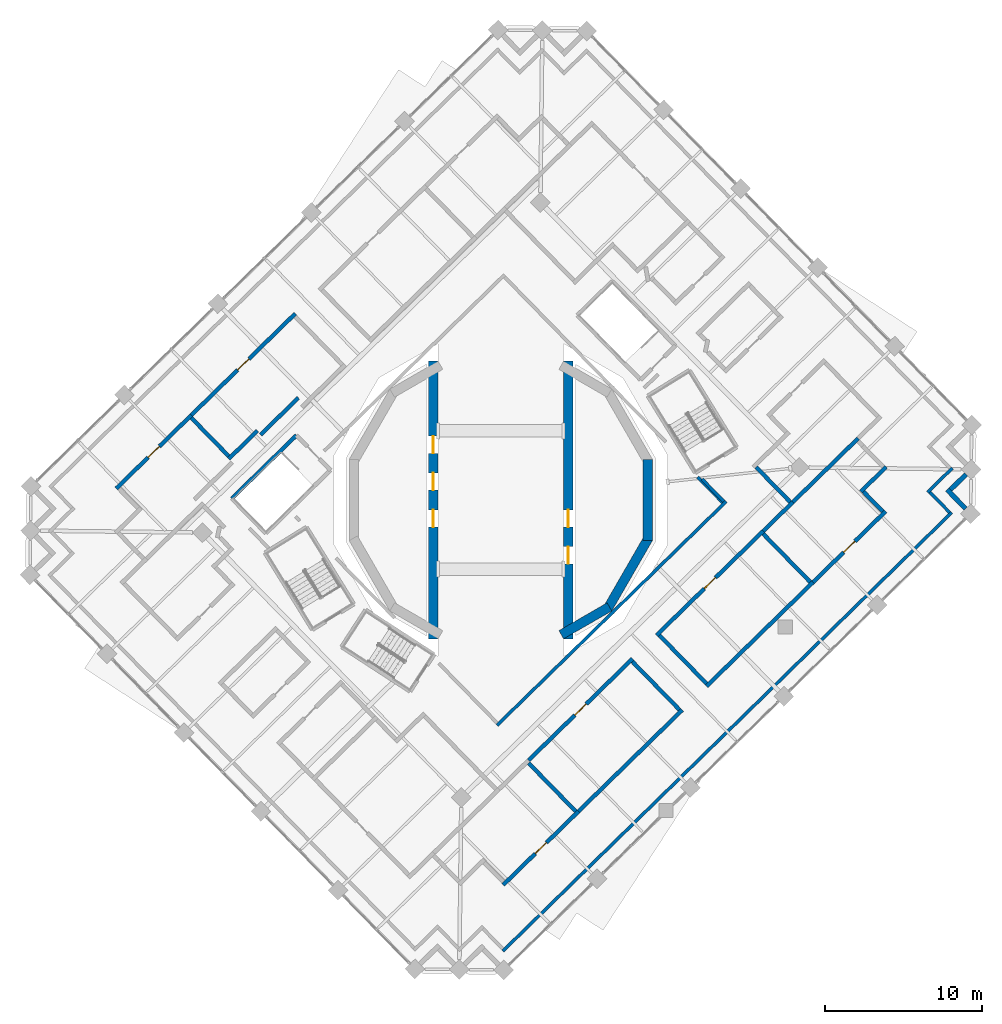
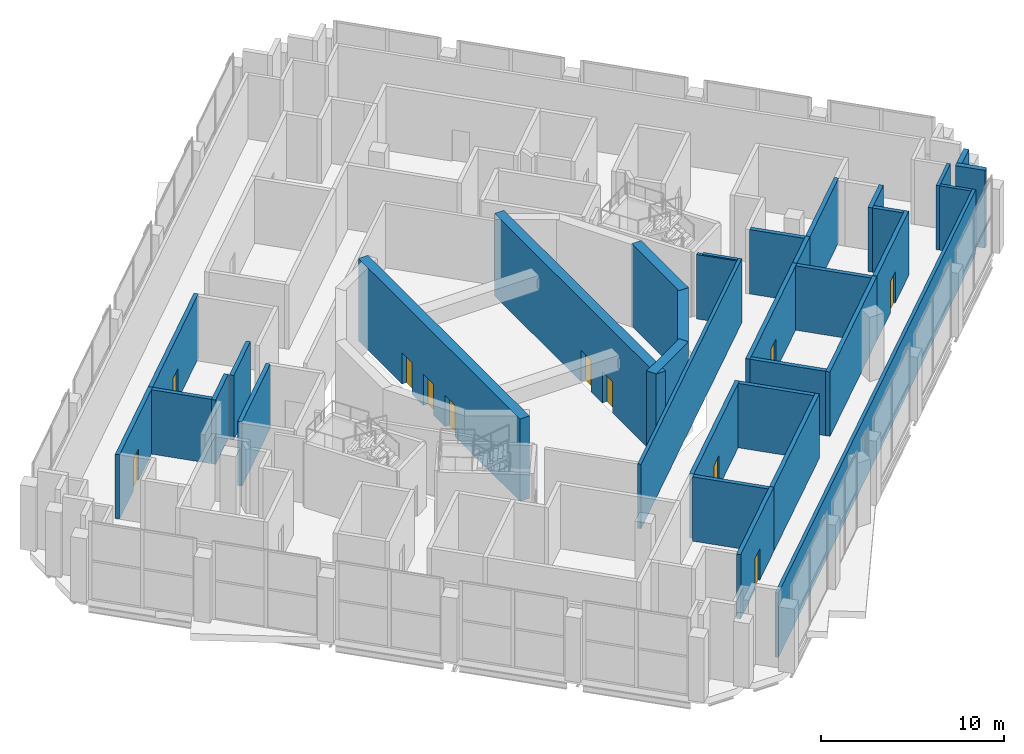
# One storey, part 14 of 20: 34 walls, 11 doors, 11 openings.
"""IFC4 building model written with IfcOpenShell, lengths in metres."""

import ifcopenshell
import ifcopenshell.guid

model = None  # the IFC model being written
_history = None  # IfcOwnerHistory: only IFC2X3 demands one
_inside = {}  # id of a spatial element -> (the spatial element, [elements in it])
_under = {}  # id of a project, library or spatial element -> (it, [spatial elements below it])
_declared = {}  # id of a project -> (the project, [libraries it declares])
_typed = {}  # id of a type object -> (the type object, [elements of that type])
_made_of = {}  # id of a material, layer set ... -> (it, [elements and type objects made of it])


def new_model(schema):
    """Start an empty IFC model of exactly this schema.

    Asked for "IFC4X3", IfcOpenShell would pick the latest addendum, in which some entities
    have other attributes; the version numbers below select the first issue.
    IFC2X3 requires an IfcOwnerHistory on every rooted entity: one is made here for all.
    """
    global model, _history
    if schema == "IFC4X3":
        model = ifcopenshell.file(schema_version=(4, 3, 0, 0))
    else:
        model = ifcopenshell.file(schema=schema)
    _inside.clear()
    _under.clear()
    _declared.clear()
    _typed.clear()
    _made_of.clear()
    _history = None
    if model.schema == "IFC2X3":
        org = make("IfcOrganization", Name="unknown")
        user = make(
            "IfcPersonAndOrganization",
            ThePerson=make("IfcPerson", FamilyName="unknown"),
            TheOrganization=org,
        )
        app = make(
            "IfcApplication",
            ApplicationDeveloper=org,
            Version="unknown",
            ApplicationFullName="unknown",
            ApplicationIdentifier="unknown",
        )
        _history = make(
            "IfcOwnerHistory",
            OwningUser=user,
            OwningApplication=app,
            ChangeAction="ADDED",
            CreationDate=0,
        )
    return model


def make(cls, **values):
    """One entity of the class cls with the attributes given. An attribute that is None is left unset."""
    return model.create_entity(
        cls, **{name: value for name, value in values.items() if value is not None}
    )


def rooted(cls, **values):
    """An entity with a GlobalId (a new one), such as an element, a storey or a relation."""
    return make(cls, GlobalId=ifcopenshell.guid.new(), OwnerHistory=_history, **values)


def si_unit(unit_type, name, prefix=None):
    """IfcSIUnit, for example si_unit("LENGTHUNIT", "METRE", prefix="MILLI")."""
    return make("IfcSIUnit", UnitType=unit_type, Prefix=prefix, Name=name)


def assignment(units):
    """IfcUnitAssignment: the units of a project."""
    return None if units is None else make("IfcUnitAssignment", Units=units)


def point(xyz):
    """IfcCartesianPoint."""
    return None if xyz is None else make("IfcCartesianPoint", Coordinates=xyz)


def direction(xyz):
    """IfcDirection."""
    return None if xyz is None else make("IfcDirection", DirectionRatios=xyz)


def frame(location, z_axis=None, x_axis=None):
    """IfcAxis2Placement3D, a coordinate frame: its origin and axes. An axis left out is left unset."""
    return make(
        "IfcAxis2Placement3D",
        Location=point(location),
        Axis=direction(z_axis),
        RefDirection=direction(x_axis),
    )


def frame_2d(location, x_axis=None):
    """IfcAxis2Placement2D, a coordinate frame in the plane: its origin and x axis."""
    return make(
        "IfcAxis2Placement2D", Location=point(location), RefDirection=direction(x_axis)
    )


def origin():
    """The frame at (0, 0, 0) with its axes left unset."""
    return frame((0.0, 0.0, 0.0))


def place(relative_to, where):
    """IfcLocalPlacement: puts the frame where relative to a parent placement (None: the world)."""
    return make(
        "IfcLocalPlacement", PlacementRelTo=relative_to, RelativePlacement=where
    )


def context(
    kind, dimensions, precision=None, world=None, true_north=None, identifier=None
):
    """IfcGeometricRepresentationContext, for example the 3D "Model" context."""
    return make(
        "IfcGeometricRepresentationContext",
        ContextIdentifier=identifier,
        ContextType=kind,
        CoordinateSpaceDimension=dimensions,
        Precision=precision,
        WorldCoordinateSystem=world,
        TrueNorth=true_north,
    )


def subcontext(parent, identifier, kind, view, scale=None):
    """IfcGeometricRepresentationSubContext, for example "Body" below "Model"."""
    return make(
        "IfcGeometricRepresentationSubContext",
        ContextIdentifier=identifier,
        ContextType=kind,
        ParentContext=parent,
        TargetScale=scale,
        TargetView=view,
    )


def project(units=None, contexts=None):
    """IfcProject with its units and contexts."""
    return rooted(
        "IfcProject",
        Name="project",
        RepresentationContexts=contexts,
        UnitsInContext=assignment(units),
    )


def spatial(cls, under=None, at=None, **own):
    """A site, building, storey or space (cls), placed at a placement, below another one or the project."""
    s = rooted(cls, ObjectPlacement=at, **own)
    if under is not None:
        _under.setdefault(under.id(), (under, []))[1].append(s)
    return s


def profile(cls, at=None, kind="AREA", **sizes):
    """A parametric profile (cls). Its sizes go by their IFC names, for example OverallWidth=200.0."""
    return make(cls, ProfileType=kind, Position=at, **sizes)


def rectangle(**sizes):
    """IfcRectangleProfileDef."""
    return profile("IfcRectangleProfileDef", **sizes)


def extrude(swept, where, along, depth):
    """IfcExtrudedAreaSolid: the profile swept, set in the frame where, extruded along a direction by depth."""
    return make(
        "IfcExtrudedAreaSolid",
        SweptArea=swept,
        Position=where,
        ExtrudedDirection=direction(along),
        Depth=depth,
    )


def shape(context_of_items, identifier, shape_type, items):
    """IfcShapeRepresentation: the items that make up one representation, for example the "Body"."""
    return make(
        "IfcShapeRepresentation",
        ContextOfItems=context_of_items,
        RepresentationIdentifier=identifier,
        RepresentationType=shape_type,
        Items=items,
    )


def material(Name=None, Category=None):
    """IfcMaterial."""
    return make("IfcMaterial", Name=Name, Category=Category)


def layer(
    of_material, thickness, ventilated=None, Name=None, Category=None, Priority=None
):
    """IfcMaterialLayer: one layer of a wall or slab, of a material (None: an air gap)."""
    return make(
        "IfcMaterialLayer",
        Material=of_material,
        LayerThickness=thickness,
        IsVentilated=ventilated,
        Name=Name,
        Category=Category,
        Priority=Priority,
    )


def layer_set(layers, Name=None):
    """IfcMaterialLayerSet."""
    return make("IfcMaterialLayerSet", MaterialLayers=layers, LayerSetName=Name)


def made_of(thing, what):
    """Note that an element or type object is made of a material, layer set ...; save() writes the relation."""
    if what is not None:
        _made_of.setdefault(what.id(), (what, []))[1].append(thing)
    return thing


def type_object(cls, material=None, **own):
    """A type object (cls), such as IfcWallType, which elements share."""
    return made_of(rooted(cls, **own), material)


def element(
    cls,
    number,
    at=None,
    inside=None,
    cuts=None,
    type_object=None,
    material=None,
    context=None,
    identifier="Body",
    shape_type=None,
    held_by="IfcProductDefinitionShape",
    body=None,
    shapes=None,
    **own,
):
    """One element of the class cls, such as IfcWall. Its Tag is "e" and its number.

    at: its placement. inside: the storey or other place that contains it. cuts: it is an
    opening in that element (IfcRelVoidsElement). A single representation is given by context,
    identifier, shape_type and body (its items); several are given by shapes. held_by: the class
    of the entity that holds the representations. save() writes the other relations.
    """
    e = rooted(cls, Tag="e%d" % number, ObjectPlacement=at, **own)
    if body is not None:
        shapes = [shape(context, identifier, shape_type, body)]
    if shapes is not None:
        e.Representation = make(held_by, Representations=shapes)
    if inside is not None:
        _inside.setdefault(inside.id(), (inside, []))[1].append(e)
    if cuts is not None:
        rooted(
            "IfcRelVoidsElement", RelatingBuildingElement=cuts, RelatedOpeningElement=e
        )
    if type_object is not None:
        _typed.setdefault(type_object.id(), (type_object, []))[1].append(e)
    return made_of(e, material)


def fill(opening, filler):
    """IfcRelFillsElement: the door or window that sits in an opening."""
    return rooted(
        "IfcRelFillsElement",
        RelatingOpeningElement=opening,
        RelatedBuildingElement=filler,
    )


def aggregate(whole, parts):
    """IfcRelAggregates: a whole, such as a stair, and the parts it consists of."""
    return rooted("IfcRelAggregates", RelatingObject=whole, RelatedObjects=parts)


def save(model, path):
    """Write the relations noted so far, then the file.

    IfcRelAggregates (storeys below a building ...), IfcRelContainedInSpatialStructure (elements
    in a storey), IfcRelDefinesByType, IfcRelAssociatesMaterial and IfcRelDeclares: one each for
    every whole, place, type object, material and project.
    """
    for whole, parts in _under.values():
        aggregate(whole, parts)
    for where, things in _inside.values():
        rooted(
            "IfcRelContainedInSpatialStructure",
            RelatedElements=things,
            RelatingStructure=where,
        )
    for kind, things in _typed.values():
        rooted("IfcRelDefinesByType", RelatedObjects=things, RelatingType=kind)
    for what, things in _made_of.values():
        rooted("IfcRelAssociatesMaterial", RelatedObjects=things, RelatingMaterial=what)
    for by, libraries in _declared.values():
        rooted("IfcRelDeclares", RelatingContext=by, RelatedDefinitions=libraries)
    model.write(path)


model = new_model("IFC4")

# Units and contexts
model_context = context("Model", 3, precision=1e-05, world=origin(), true_north=direction((0.0, 1.0)))
body_context = subcontext(model_context, "Body", "Model", "MODEL_VIEW")
ifc_project = project(units=[si_unit("LENGTHUNIT", "METRE"), si_unit("AREAUNIT", "SQUARE_METRE"), si_unit("VOLUMEUNIT", "CUBIC_METRE"), si_unit("PLANEANGLEUNIT", "RADIAN"), si_unit("MASSUNIT", "GRAM", prefix="KILO")], contexts=[model_context])

# Site, building, storey
site_placement = place(None, origin())
site = spatial("IfcSite", under=ifc_project, at=site_placement, CompositionType="ELEMENT")
building_placement = place(site_placement, origin())
building = spatial("IfcBuilding", under=site, at=building_placement, Name="Cantera Rosa Tower", CompositionType="ELEMENT")
storey_placement = place(building_placement, frame((0.0, 0.0, 245.0)))
storey = spatial("IfcBuildingStorey", under=building, at=storey_placement, Name="L54", CompositionType="ELEMENT", Elevation=245.0)

# Walls
ifc_material_1 = material(Name="Masonry blockwork", Category="masonry")
ifc_layer_1 = layer(ifc_material_1, 0.199951171875)
ifc_layer_set_1 = layer_set([ifc_layer_1], Name="Blockwork partition 200")
wall_type_1 = type_object("IfcWallType", Name="Blockwork partition 200", PredefinedType="PARTITIONING", material=ifc_layer_set_1)
wall_1_placement = place(storey_placement, frame((14.212646484375, -0.0947265625, 0.0), z_axis=(0.0, 0.0, 1.0), x_axis=(-0.698781842242, 0.715334842541, 0.0)))
element("IfcWall", 1, at=wall_1_placement, inside=storey, type_object=wall_type_1, Name="Partition L54-1", PredefinedType="PARTITIONING", context=body_context, shape_type="SweptSolid", body=[
    extrude(rectangle(XDim=1.9912109375, YDim=0.199951171875, at=frame_2d((0.99560546875, 0.0))), origin(), (0.0, 0.0, 1.0), 4.300048828125),
])
wall_2_placement = place(storey_placement, frame((-0.23779296875, -14.3525390625, 0.0), z_axis=(0.0, 0.0, 1.0), x_axis=(0.715280736308, 0.698837225873, 0.0)))
element("IfcWall", 2, at=wall_2_placement, inside=storey, type_object=wall_type_1, Name="Partition L54-10", PredefinedType="PARTITIONING", context=body_context, shape_type="SweptSolid", body=[
    extrude(rectangle(XDim=20.400146484375, YDim=0.199951171875, at=frame_2d((10.2001953125, 0.0))), origin(), (0.0, 0.0, 1.0), 4.300048828125),
])
wall_3_placement = place(storey_placement, frame((0.125, -28.747314453125, 0.0), z_axis=(0.0, 0.0, 1.0), x_axis=(0.715286420058, 0.698831408338, 0.0)))
element("IfcWall", 3, at=wall_3_placement, inside=storey, type_object=wall_type_1, Name="Partition L54-100", PredefinedType="PARTITIONING", context=body_context, shape_type="SweptSolid", body=[
    extrude(rectangle(XDim=40.000244140625, YDim=0.199951171875, at=frame_2d((20.0, 0.0))), origin(), (0.0, 0.0, 1.0), 4.300048828125),
])
wall_4_placement = place(storey_placement, frame((27.19580078125, 0.496826171875, 0.0), z_axis=(0.0, 0.0, 1.0), x_axis=(0.715325866743, 0.698791030543, 0.0)))
element("IfcWall", 4, at=wall_4_placement, inside=storey, type_object=wall_type_1, Name="Partition L54-104", PredefinedType="PARTITIONING", context=body_context, shape_type="SweptSolid", body=[
    extrude(rectangle(XDim=2.199951171875, YDim=0.199951171875, at=frame_2d((1.10009765625, 0.0))), origin(), (0.0, 0.0, 1.0), 4.300048828125),
])
wall_5_placement = place(storey_placement, frame((28.59521484375, -0.79248046875, 0.0), z_axis=(0.0, 0.0, 1.0), x_axis=(-0.698784721194, 0.715332030197, 0.0)))
element("IfcWall", 5, at=wall_5_placement, inside=storey, type_object=wall_type_1, Name="Partition L54-115", PredefinedType="PARTITIONING", context=body_context, shape_type="SweptSolid", body=[
    extrude(rectangle(XDim=1.800048828125, YDim=0.199951171875, at=frame_2d((0.89990234375, 0.0))), origin(), (0.0, 0.0, 1.0), 4.300048828125),
])
wall_6_placement = place(storey_placement, frame((14.13916015625, -0.16650390625, 0.0), z_axis=(0.0, 0.0, 1.0), x_axis=(-0.698783996079, 0.715332738538, 0.0)))
element("IfcWall", 6, at=wall_6_placement, inside=storey, type_object=wall_type_1, Name="Partition L54-121", PredefinedType="PARTITIONING", context=body_context, shape_type="SweptSolid", body=[
    extrude(rectangle(XDim=2.28662109375, YDim=0.199951171875, at=frame_2d((1.143310546875, 0.0))), origin(), (0.0, 0.0, 1.0), 4.300048828125),
])
ifc_material_2 = material(Name="Hollow clay masonry with cantera stone cladding", Category="masonry")
ifc_layer_2 = layer(ifc_material_2, 0.300048828125)
ifc_layer_set_2 = layer_set([ifc_layer_2], Name="EW-LOGGIA 300")
wall_type_2 = type_object("IfcWallType", Name="EW-LOGGIA 300", PredefinedType="SOLIDWALL", material=ifc_layer_set_2)
wall_7_placement = place(storey_placement, frame((29.623291015625, -0.556884765625, 0.0), z_axis=(0.0, 0.0, 1.0), x_axis=(-0.69880105094, 0.715316077832, 0.0)))
element("IfcWall", 7, at=wall_7_placement, inside=storey, type_object=wall_type_2, Name="EN-L54-W26a", PredefinedType="SOLIDWALL", context=body_context, shape_type="SweptSolid", body=[
    extrude(rectangle(XDim=1.699951171875, YDim=0.300048828125, at=frame_2d((0.85009765625, 0.0))), origin(), (0.0, 0.0, 1.0), 5.199951171875),
])
wall_8_placement = place(storey_placement, frame((28.6474609375, 0.65673828125, 0.0), z_axis=(0.0, 0.0, 1.0), x_axis=(0.715341715727, 0.698774806172, 0.0)))
element("IfcWall", 8, at=wall_8_placement, inside=storey, type_object=wall_type_2, Name="EN-L54-W26b", PredefinedType="SOLIDWALL", context=body_context, shape_type="SweptSolid", body=[
    extrude(rectangle(XDim=1.39990234375, YDim=0.300048828125, at=frame_2d((0.699951171875, 0.0))), origin(), (0.0, 0.0, 1.0), 5.199951171875),
])

# Wall, opening, door
ifc_material_3 = material(Name="Masonry blockwork", Category="masonry")
ifc_layer_3 = layer(ifc_material_3, 0.25)
ifc_layer_set_3 = layer_set([ifc_layer_3], Name="Fire-rated wall 250")
wall_type_3 = type_object("IfcWallType", Name="Fire-rated wall 250", PredefinedType="PARTITIONING", material=ifc_layer_set_3)
wall_9_placement = place(storey_placement, frame((-24.51220703125, 0.727294921875, 0.0), z_axis=(0.0, 0.0, 1.0), x_axis=(0.715293997815, 0.698823652068, 0.0)))
wall_9 = element("IfcWall", 9, at=wall_9_placement, inside=storey, type_object=wall_type_3, Name="Fire wall L54-19", PredefinedType="PARTITIONING", context=body_context, shape_type="SweptSolid", body=[
    extrude(rectangle(XDim=6.699951171875, YDim=0.25, at=frame_2d((3.35009765625, 0.0))), origin(), (0.0, 0.0, 1.0), 4.300048828125),
])
opening_1_placement = place(wall_9_placement, frame((2.85009765625, 0.0, 0.0)))
opening_1 = element("IfcOpeningElement", 10, at=opening_1_placement, cuts=wall_9, Name="Opening L54-001", PredefinedType="OPENING", context=body_context, shape_type="SweptSolid", body=[
    extrude(rectangle(XDim=1.0, YDim=2.10009765625, at=frame_2d((0.5, 1.050048828125))), frame((0.0, 0.135009765625, 0.0), z_axis=(0.0, -1.0, 0.0), x_axis=(1.0, 0.0, 0.0)), (0.0, 0.0, 1.0), 0.27001953125),
])
ifc_material_4 = material(Name="Steel S355J2 (EN 10025-2)", Category="steel")
door_type_1 = type_object("IfcDoorType", Name="Fire door 1000x2100", OperationType="NOTDEFINED", PredefinedType="DOOR", material=ifc_material_4)
door_1_placement = place(opening_1_placement, origin())
door_1 = element("IfcDoor", 11, at=door_1_placement, inside=storey, type_object=door_type_1, Name="Door L54-001", OverallHeight=2.10009765625, OverallWidth=1.0, PredefinedType="DOOR", context=body_context, shape_type="SweptSolid", body=[
    extrude(rectangle(XDim=1.0, YDim=2.10009765625, at=frame_2d((0.5, 1.050048828125))), frame((0.0, 0.02490234375, 0.0), z_axis=(0.0, -1.0, 0.0), x_axis=(1.0, 0.0, 0.0)), (0.0, 0.0, 1.0), 0.050048828125),
])
fill(opening_1, door_1)

wall_10_placement = place(storey_placement, frame((-19.7197265625, 5.409423828125, 0.0), z_axis=(0.0, 0.0, 1.0), x_axis=(0.71529364026, 0.69882401805, 0.0)))
wall_10 = element("IfcWall", 12, at=wall_10_placement, inside=storey, type_object=wall_type_3, Name="Fire wall L54-20", PredefinedType="PARTITIONING", context=body_context, shape_type="SweptSolid", body=[
    extrude(rectangle(XDim=9.25, YDim=0.25, at=frame_2d((4.625, 0.0))), origin(), (0.0, 0.0, 1.0), 4.300048828125),
])
opening_2_placement = place(wall_10_placement, frame((4.125, 0.0, 0.0)))
opening_2 = element("IfcOpeningElement", 13, at=opening_2_placement, cuts=wall_10, Name="Opening L54-002", PredefinedType="OPENING", context=body_context, shape_type="SweptSolid", body=[
    extrude(rectangle(XDim=1.0, YDim=2.10009765625, at=frame_2d((0.5, 1.050048828125))), frame((0.0, 0.135009765625, 0.0), z_axis=(0.0, -1.0, 0.0), x_axis=(1.0, 0.0, 0.0)), (0.0, 0.0, 1.0), 0.27001953125),
])
door_2_placement = place(opening_2_placement, origin())
door_2 = element("IfcDoor", 14, at=door_2_placement, inside=storey, type_object=door_type_1, Name="Door L54-002", OverallHeight=2.10009765625, OverallWidth=1.0, PredefinedType="DOOR", context=body_context, shape_type="SweptSolid", body=[
    extrude(rectangle(XDim=1.0, YDim=2.10009765625, at=frame_2d((0.5, 1.050048828125))), frame((0.0, 0.02490234375, 0.0), z_axis=(0.0, -1.0, 0.0), x_axis=(1.0, 0.0, 0.0)), (0.0, 0.0, 1.0), 0.050048828125),
])
fill(opening_2, door_2)

# Walls
wall_11_placement = place(storey_placement, frame((4.772216796875, -19.838134765625, 0.0), z_axis=(0.0, 0.0, 1.0), x_axis=(-0.698826013974, 0.715291690287, 0.0)))
element("IfcWall", 15, at=wall_11_placement, inside=storey, type_object=wall_type_3, Name="Fire wall L54-23", PredefinedType="PARTITIONING", context=body_context, shape_type="SweptSolid", body=[
    extrude(rectangle(XDim=4.2998046875, YDim=0.25, at=frame_2d((2.14990234375, 0.0))), origin(), (0.0, 0.0, 1.0), 4.300048828125),
])
wall_12_placement = place(storey_placement, frame((-17.323974609375, 2.7783203125, 0.0), z_axis=(0.0, 0.0, 1.0), x_axis=(-0.69880472754, 0.715312486098, 0.0)))
element("IfcWall", 16, at=wall_12_placement, inside=storey, type_object=wall_type_3, Name="Fire wall L54-24", PredefinedType="PARTITIONING", context=body_context, shape_type="SweptSolid", body=[
    extrude(rectangle(XDim=3.43115234375, YDim=0.25, at=frame_2d((1.715576171875, 0.0))), origin(), (0.0, 0.0, 1.0), 4.300048828125),
])
wall_13_placement = place(storey_placement, frame((-15.314208984375, 4.15478515625, 0.0), z_axis=(0.0, 0.0, 1.0), x_axis=(0.715316390415, 0.69880073097, 0.0)))
element("IfcWall", 17, at=wall_13_placement, inside=storey, type_object=wall_type_3, Name="Fire wall L54-26", PredefinedType="PARTITIONING", context=body_context, shape_type="SweptSolid", body=[
    extrude(rectangle(XDim=3.370361328125, YDim=0.25, at=frame_2d((1.68505859375, 0.0))), origin(), (0.0, 0.0, 1.0), 4.300048828125),
])
wall_14_placement = place(storey_placement, frame((-17.343505859375, 2.619384765625, 0.0), z_axis=(0.0, 0.0, 1.0), x_axis=(0.715260872502, 0.698857556493, 0.0)))
element("IfcWall", 18, at=wall_14_placement, inside=storey, type_object=wall_type_3, Name="Fire wall L54-35", PredefinedType="PARTITIONING", context=body_context, shape_type="SweptSolid", body=[
    extrude(rectangle(XDim=2.56005859375, YDim=0.25, at=frame_2d((1.280029296875, 0.0))), origin(), (0.0, 0.0, 1.0), 4.300048828125),
])
for number, where, z_axis, x_axis, name in (
    (19, (11.388671875, -13.3740234375, 0.0), (0.0, 0.0, 1.0), (-0.698826013974, 0.715291690287, 0.0), "Fire wall L54-36"),
    (20, (19.7216796875, -5.232666015625, 0.0), (0.0, 0.0, 1.0), (-0.698826013974, 0.715291690287, 0.0), "Fire wall L54-38"),
):
    element("IfcWall", number, at=place(storey_placement, frame(where, z_axis=z_axis, x_axis=x_axis)), inside=storey, type_object=wall_type_3, Name=name, PredefinedType="PARTITIONING", context=body_context, shape_type="SweptSolid", body=[
        extrude(rectangle(XDim=4.2998046875, YDim=0.25, at=frame_2d((2.14990234375, 0.0))), origin(), (0.0, 0.0, 1.0), 4.300048828125),
    ])
wall_15_placement = place(storey_placement, frame((13.10546875, -11.69677734375, 0.0), z_axis=(0.0, 0.0, 1.0), x_axis=(-0.698855062366, 0.715263309422, 0.0)))
element("IfcWall", 21, at=wall_15_placement, inside=storey, type_object=wall_type_3, Name="Fire wall L54-40", PredefinedType="PARTITIONING", context=body_context, shape_type="SweptSolid", body=[
    extrude(rectangle(XDim=4.300048828125, YDim=0.25, at=frame_2d((2.14990234375, 0.0))), origin(), (0.0, 0.0, 1.0), 4.300048828125),
])
wall_16_placement = place(storey_placement, frame((24.33544921875, -0.72509765625, 0.0), z_axis=(0.0, 0.0, 1.0), x_axis=(-0.698898891865, 0.715220482753, 0.0)))
element("IfcWall", 22, at=wall_16_placement, inside=storey, type_object=wall_type_3, Name="Fire wall L54-42", PredefinedType="PARTITIONING", context=body_context, shape_type="SweptSolid", body=[
    extrude(rectangle(XDim=1.75, YDim=0.25, at=frame_2d((0.875, 0.0))), origin(), (0.0, 0.0, 1.0), 4.300048828125),
])

# Wall, opening, door
wall_17_placement = place(storey_placement, frame((1.769287109375, -16.585693359375, 0.0), z_axis=(0.0, 0.0, 1.0), x_axis=(0.71529364026, 0.69882401805, 0.0)))
wall_17 = element("IfcWall", 23, at=wall_17_placement, inside=storey, type_object=wall_type_3, Name="Fire wall L54-59", PredefinedType="PARTITIONING", context=body_context, shape_type="SweptSolid", body=[
    extrude(rectangle(XDim=9.25, YDim=0.25, at=frame_2d((4.625, 0.0))), origin(), (0.0, 0.0, 1.0), 4.300048828125),
])
opening_3_placement = place(wall_17_placement, frame((4.125, 0.0, 0.0)))
opening_3 = element("IfcOpeningElement", 24, at=opening_3_placement, cuts=wall_17, Name="Opening L54-010", PredefinedType="OPENING", context=body_context, shape_type="SweptSolid", body=[
    extrude(rectangle(XDim=1.0, YDim=2.10009765625, at=frame_2d((0.5, 1.050048828125))), frame((0.0, 0.135009765625, 0.0), z_axis=(0.0, -1.0, 0.0), x_axis=(1.0, 0.0, 0.0)), (0.0, 0.0, 1.0), 0.27001953125),
])
door_3_placement = place(opening_3_placement, origin())
door_3 = element("IfcDoor", 25, at=door_3_placement, inside=storey, type_object=door_type_1, Name="Door L54-010", OverallHeight=2.10009765625, OverallWidth=1.0, PredefinedType="DOOR", context=body_context, shape_type="SweptSolid", body=[
    extrude(rectangle(XDim=1.0, YDim=2.10009765625, at=frame_2d((0.5, 1.050048828125))), frame((0.0, 0.02490234375, 0.0), z_axis=(0.0, -1.0, 0.0), x_axis=(1.0, 0.0, 0.0)), (0.0, 0.0, 1.0), 0.050048828125),
])
fill(opening_3, door_3)

wall_18_placement = place(storey_placement, frame((9.923583984375, -8.618896484375, 0.0), z_axis=(0.0, 0.0, 1.0), x_axis=(0.715282665967, 0.698835250805, 0.0)))
wall_18 = element("IfcWall", 26, at=wall_18_placement, inside=storey, type_object=wall_type_3, Name="Fire wall L54-60", PredefinedType="PARTITIONING", context=body_context, shape_type="SweptSolid", body=[
    extrude(rectangle(XDim=9.5, YDim=0.25, at=frame_2d((4.75, 0.0))), origin(), (0.0, 0.0, 1.0), 4.300048828125),
])
opening_4_placement = place(wall_18_placement, frame((4.25, 0.0, 0.0)))
opening_4 = element("IfcOpeningElement", 27, at=opening_4_placement, cuts=wall_18, Name="Opening L54-011", PredefinedType="OPENING", context=body_context, shape_type="SweptSolid", body=[
    extrude(rectangle(XDim=1.0, YDim=2.10009765625, at=frame_2d((0.5, 1.050048828125))), frame((0.0, 0.135009765625, 0.0), z_axis=(0.0, -1.0, 0.0), x_axis=(1.0, 0.0, 0.0)), (0.0, 0.0, 1.0), 0.27001953125),
])
door_4_placement = place(opening_4_placement, origin())
door_4 = element("IfcDoor", 28, at=door_4_placement, inside=storey, type_object=door_type_1, Name="Door L54-011", OverallHeight=2.10009765625, OverallWidth=1.0, PredefinedType="DOOR", context=body_context, shape_type="SweptSolid", body=[
    extrude(rectangle(XDim=1.0, YDim=2.10009765625, at=frame_2d((0.5, 1.050048828125))), frame((0.0, 0.02490234375, 0.0), z_axis=(0.0, -1.0, 0.0), x_axis=(1.0, 0.0, 0.0)), (0.0, 0.0, 1.0), 0.050048828125),
])
fill(opening_4, door_4)

# Walls
wall_19_placement = place(storey_placement, frame((16.71875, -1.97998046875, 0.0), z_axis=(0.0, 0.0, 1.0), x_axis=(0.715349405615, 0.698766933882, 0.0)))
element("IfcWall", 29, at=wall_19_placement, inside=storey, type_object=wall_type_3, Name="Fire wall L54-61", PredefinedType="PARTITIONING", context=body_context, shape_type="SweptSolid", body=[
    extrude(rectangle(XDim=2.650146484375, YDim=0.25, at=frame_2d((1.3251953125, 0.0))), origin(), (0.0, 0.0, 1.0), 4.300048828125),
])
wall_20_placement = place(storey_placement, frame((18.614501953125, -0.128173828125, 0.0), z_axis=(0.0, 0.0, 1.0), x_axis=(0.715266089848, 0.698852216648, 0.0)))
element("IfcWall", 30, at=wall_20_placement, inside=storey, type_object=wall_type_3, Name="Fire wall L54-62", PredefinedType="PARTITIONING", context=body_context, shape_type="SweptSolid", body=[
    extrude(rectangle(XDim=5.80078125, YDim=0.25, at=frame_2d((2.900390625, 0.0))), origin(), (0.0, 0.0, 1.0), 4.300048828125),
])
wall_21_placement = place(storey_placement, frame((18.4375, -0.126220703125, 0.0), z_axis=(0.0, 0.0, 1.0), x_axis=(-0.698846148091, 0.715272019093, 0.0)))
element("IfcWall", 31, at=wall_21_placement, inside=storey, type_object=wall_type_3, Name="Fire wall L54-64", PredefinedType="PARTITIONING", context=body_context, shape_type="SweptSolid", body=[
    extrude(rectangle(XDim=3.1064453125, YDim=0.25, at=frame_2d((1.55322265625, 0.0))), origin(), (0.0, 0.0, 1.0), 4.300048828125),
])

# Wall, opening, door
wall_22_placement = place(storey_placement, frame((0.156494140625, -24.5224609375, 0.0), z_axis=(0.0, 0.0, 1.0), x_axis=(0.715275783569, 0.698842295113, 0.0)))
wall_22 = element("IfcWall", 32, at=wall_22_placement, inside=storey, type_object=wall_type_3, Name="Fire wall L54-78", PredefinedType="PARTITIONING", context=body_context, shape_type="SweptSolid", body=[
    extrude(rectangle(XDim=6.7001953125, YDim=0.25, at=frame_2d((3.35009765625, 0.0))), origin(), (0.0, 0.0, 1.0), 4.300048828125),
])
opening_5_placement = place(wall_22_placement, frame((2.85009765625, 0.0, 0.0)))
opening_5 = element("IfcOpeningElement", 33, at=opening_5_placement, cuts=wall_22, Name="Opening L54-009", PredefinedType="OPENING", context=body_context, shape_type="SweptSolid", body=[
    extrude(rectangle(XDim=1.0, YDim=2.10009765625, at=frame_2d((0.5, 1.050048828125))), frame((0.0, 0.135009765625, 0.0), z_axis=(0.0, -1.0, 0.0), x_axis=(1.0, 0.0, 0.0)), (0.0, 0.0, 1.0), 0.27001953125),
])
door_5_placement = place(opening_5_placement, origin())
door_5 = element("IfcDoor", 34, at=door_5_placement, inside=storey, type_object=door_type_1, Name="Door L54-009", OverallHeight=2.10009765625, OverallWidth=1.0, PredefinedType="DOOR", context=body_context, shape_type="SweptSolid", body=[
    extrude(rectangle(XDim=1.0, YDim=2.10009765625, at=frame_2d((0.5, 1.050048828125))), frame((0.0, 0.02490234375, 0.0), z_axis=(0.0, -1.0, 0.0), x_axis=(1.0, 0.0, 0.0)), (0.0, 0.0, 1.0), 0.050048828125),
])
fill(opening_5, door_5)

# Walls
wall_23_placement = place(storey_placement, frame((4.948974609375, -19.840087890625, 0.0), z_axis=(0.0, 0.0, 1.0), x_axis=(0.71529364026, 0.69882401805, 0.0)))
element("IfcWall", 35, at=wall_23_placement, inside=storey, type_object=wall_type_3, Name="Fire wall L54-79", PredefinedType="PARTITIONING", context=body_context, shape_type="SweptSolid", body=[
    extrude(rectangle(XDim=9.25, YDim=0.25, at=frame_2d((4.625, 0.0))), origin(), (0.0, 0.0, 1.0), 4.300048828125),
])
wall_24_placement = place(storey_placement, frame((13.103271484375, -11.87353515625, 0.0), z_axis=(0.0, 0.0, 1.0), x_axis=(0.715282665967, 0.698835250805, 0.0)))
element("IfcWall", 36, at=wall_24_placement, inside=storey, type_object=wall_type_3, Name="Fire wall L54-80", PredefinedType="PARTITIONING", context=body_context, shape_type="SweptSolid", body=[
    extrude(rectangle(XDim=9.5, YDim=0.25, at=frame_2d((4.75, 0.0))), origin(), (0.0, 0.0, 1.0), 4.300048828125),
])

# Wall, opening, door
wall_25_placement = place(storey_placement, frame((19.8984375, -5.234619140625, 0.0), z_axis=(0.0, 0.0, 1.0), x_axis=(0.715310174918, 0.698807093308, 0.0)))
wall_25 = element("IfcWall", 37, at=wall_25_placement, inside=storey, type_object=wall_type_3, Name="Fire wall L54-81", PredefinedType="PARTITIONING", context=body_context, shape_type="SweptSolid", body=[
    extrude(rectangle(XDim=6.449951171875, YDim=0.25, at=frame_2d((3.22509765625, 0.0))), origin(), (0.0, 0.0, 1.0), 4.300048828125),
])
opening_6_placement = place(wall_25_placement, frame((2.72509765625, 0.0, 0.0)))
opening_6 = element("IfcOpeningElement", 38, at=opening_6_placement, cuts=wall_25, Name="Opening L54-012", PredefinedType="OPENING", context=body_context, shape_type="SweptSolid", body=[
    extrude(rectangle(XDim=1.0, YDim=2.10009765625, at=frame_2d((0.5, 1.050048828125))), frame((0.0, 0.135009765625, 0.0), z_axis=(0.0, -1.0, 0.0), x_axis=(1.0, 0.0, 0.0)), (0.0, 0.0, 1.0), 0.27001953125),
])
door_6_placement = place(opening_6_placement, origin())
door_6 = element("IfcDoor", 39, at=door_6_placement, inside=storey, type_object=door_type_1, Name="Door L54-012", OverallHeight=2.10009765625, OverallWidth=1.0, PredefinedType="DOOR", context=body_context, shape_type="SweptSolid", body=[
    extrude(rectangle(XDim=1.0, YDim=2.10009765625, at=frame_2d((0.5, 1.050048828125))), frame((0.0, 0.02490234375, 0.0), z_axis=(0.0, -1.0, 0.0), x_axis=(1.0, 0.0, 0.0)), (0.0, 0.0, 1.0), 0.050048828125),
])
fill(opening_6, door_6)

# Wall
wall_26_placement = place(storey_placement, frame((22.935546875, 0.52880859375, 0.0), z_axis=(0.0, 0.0, 1.0), x_axis=(0.715354746456, 0.698761466255, 0.0)))
element("IfcWall", 40, at=wall_26_placement, inside=storey, type_object=wall_type_3, Name="Fire wall L54-83", PredefinedType="PARTITIONING", context=body_context, shape_type="SweptSolid", body=[
    extrude(rectangle(XDim=2.251220703125, YDim=0.25, at=frame_2d((1.12548828125, 0.0))), origin(), (0.0, 0.0, 1.0), 4.300048828125),
])

# Wall, openings, doors
ifc_material_5 = material(Name="Concrete C50/60", Category="concrete")
ifc_layer_4 = layer(ifc_material_5, 0.60009765625)
ifc_layer_set_4 = layer_set([ifc_layer_4], Name="RC CORE WALL 600 C50/60")
wall_type_4 = type_object("IfcWallType", Name="RC CORE WALL 600 C50/60", PredefinedType="SHEAR", material=ifc_layer_set_4)
wall_27_placement = place(storey_placement, frame((-4.300048828125, 8.84423828125, 0.0), z_axis=(0.0, 0.0, 1.0), x_axis=(0.0, -1.0, 0.0)))
wall_27 = element("IfcWall", 41, at=wall_27_placement, inside=storey, type_object=wall_type_4, Name="CW-W6 L54", PredefinedType="SHEAR", context=body_context, shape_type="SweptSolid", body=[
    extrude(rectangle(XDim=17.6884765625, YDim=0.60009765625, at=frame_2d((8.84423828125, 0.0))), origin(), (0.0, 0.0, 1.0), 5.5),
])
opening_7_placement = place(wall_27_placement, frame((9.468994140625, 0.0, 0.0)))
opening_7 = element("IfcOpeningElement", 42, at=opening_7_placement, cuts=wall_27, Name="Opening LD-H1-L54", PredefinedType="OPENING", context=body_context, shape_type="SweptSolid", body=[
    extrude(rectangle(XDim=1.10009765625, YDim=2.10009765625, at=frame_2d((0.550048828125, 1.050048828125))), frame((0.0, 0.31005859375, 0.0), z_axis=(0.0, -1.0, 0.0), x_axis=(1.0, 0.0, 0.0)), (0.0, 0.0, 1.0), 0.6201171875),
])
opening_8_placement = place(wall_27_placement, frame((7.119140625, 0.0, 0.0)))
opening_8 = element("IfcOpeningElement", 43, at=opening_8_placement, cuts=wall_27, Name="Opening LD-H2-L54", PredefinedType="OPENING", context=body_context, shape_type="SweptSolid", body=[
    extrude(rectangle(XDim=1.10009765625, YDim=2.10009765625, at=frame_2d((0.550048828125, 1.050048828125))), frame((0.0, 0.31005859375, 0.0), z_axis=(0.0, -1.0, 0.0), x_axis=(1.0, 0.0, 0.0)), (0.0, 0.0, 1.0), 0.6201171875),
])
opening_9_placement = place(wall_27_placement, frame((4.76904296875, 0.0, 0.0)))
opening_9 = element("IfcOpeningElement", 44, at=opening_9_placement, cuts=wall_27, Name="Opening LD-H3-L54", PredefinedType="OPENING", context=body_context, shape_type="SweptSolid", body=[
    extrude(rectangle(XDim=1.10009765625, YDim=2.10009765625, at=frame_2d((0.550048828125, 1.050048828125))), frame((0.0, 0.31005859375, 0.0), z_axis=(0.0, -1.0, 0.0), x_axis=(1.0, 0.0, 0.0)), (0.0, 0.0, 1.0), 0.6201171875),
])
ifc_material_6 = material(Name="Steel S355J2 (EN 10025-2)", Category="steel")
door_type_2 = type_object("IfcDoorType", Name="LANDING DOOR 1100x2100", OperationType="NOTDEFINED", PredefinedType="DOOR", material=ifc_material_6)
door_7_placement = place(opening_7_placement, origin())
door_7 = element("IfcDoor", 45, at=door_7_placement, inside=storey, type_object=door_type_2, Name="LANDING DOOR H1 L54", OperationType="SLIDING_TO_LEFT", OverallHeight=2.10009765625, OverallWidth=1.10009765625, PredefinedType="DOOR", context=body_context, shape_type="SweptSolid", body=[
    extrude(rectangle(XDim=1.10009765625, YDim=2.10009765625, at=frame_2d((0.550048828125, 1.050048828125))), frame((0.0, 0.02490234375, 0.0), z_axis=(0.0, -1.0, 0.0), x_axis=(1.0, 0.0, 0.0)), (0.0, 0.0, 1.0), 0.050048828125),
])
fill(opening_7, door_7)
door_8_placement = place(opening_8_placement, origin())
door_8 = element("IfcDoor", 46, at=door_8_placement, inside=storey, type_object=door_type_2, Name="LANDING DOOR H2 L54", OperationType="SLIDING_TO_LEFT", OverallHeight=2.10009765625, OverallWidth=1.10009765625, PredefinedType="DOOR", context=body_context, shape_type="SweptSolid", body=[
    extrude(rectangle(XDim=1.10009765625, YDim=2.10009765625, at=frame_2d((0.550048828125, 1.050048828125))), frame((0.0, 0.02490234375, 0.0), z_axis=(0.0, -1.0, 0.0), x_axis=(1.0, 0.0, 0.0)), (0.0, 0.0, 1.0), 0.050048828125),
])
fill(opening_8, door_8)
door_9_placement = place(opening_9_placement, origin())
door_9 = element("IfcDoor", 47, at=door_9_placement, inside=storey, type_object=door_type_2, Name="LANDING DOOR H3 L54", OperationType="SLIDING_TO_LEFT", OverallHeight=2.10009765625, OverallWidth=1.10009765625, PredefinedType="DOOR", context=body_context, shape_type="SweptSolid", body=[
    extrude(rectangle(XDim=1.10009765625, YDim=2.10009765625, at=frame_2d((0.550048828125, 1.050048828125))), frame((0.0, 0.02490234375, 0.0), z_axis=(0.0, -1.0, 0.0), x_axis=(1.0, 0.0, 0.0)), (0.0, 0.0, 1.0), 0.050048828125),
])
fill(opening_9, door_9)

# Walls
for number, where, z_axis, x_axis, name in (
    (48, (9.359375, 2.588134765625, 0.0), (0.0, 0.0, 1.0), (0.0, -1.0, 0.0), "CW-E3 L54"),
    (49, (9.3994140625, -2.438232421875, 0.0), (0.0, 0.0, 1.0), (-0.499989188378, -0.866031645787, 0.0), "CW-E4 L54"),
):
    element("IfcWall", number, at=place(storey_placement, frame(where, z_axis=z_axis, x_axis=x_axis)), inside=storey, type_object=wall_type_4, Name=name, PredefinedType="SHEAR", context=body_context, shape_type="SweptSolid", body=[
        extrude(rectangle(XDim=5.17626953125, YDim=0.60009765625, at=frame_2d((2.588134765625, 0.0))), origin(), (0.0, 0.0, 1.0), 5.5),
    ])
wall_28_placement = place(storey_placement, frame((6.921142578125, -6.811279296875, 0.0), z_axis=(0.0, 0.0, 1.0), x_axis=(-0.866039982607, -0.499974747889, 0.0)))
element("IfcWall", 50, at=wall_28_placement, inside=storey, type_object=wall_type_4, Name="CW-E5 L54", PredefinedType="SHEAR", context=body_context, shape_type="SweptSolid", body=[
    extrude(rectangle(XDim=3.546142578125, YDim=0.60009765625, at=frame_2d((1.77294921875, 0.0))), origin(), (0.0, 0.0, 1.0), 5.5),
])

# Wall, openings, doors
wall_29_placement = place(storey_placement, frame((4.300048828125, -8.84423828125, 0.0), z_axis=(0.0, 0.0, 1.0), x_axis=(0.0, 1.0, 0.0)))
wall_29 = element("IfcWall", 51, at=wall_29_placement, inside=storey, type_object=wall_type_4, Name="CW-E6 L54", PredefinedType="SHEAR", context=body_context, shape_type="SweptSolid", body=[
    extrude(rectangle(XDim=17.6884765625, YDim=0.60009765625, at=frame_2d((8.84423828125, 0.0))), origin(), (0.0, 0.0, 1.0), 5.5),
])
opening_10_placement = place(wall_29_placement, frame((4.76904296875, 0.0, 0.0)))
opening_10 = element("IfcOpeningElement", 52, at=opening_10_placement, cuts=wall_29, Name="Opening LD-FF1-L54", PredefinedType="OPENING", context=body_context, shape_type="SweptSolid", body=[
    extrude(rectangle(XDim=1.10009765625, YDim=2.10009765625, at=frame_2d((0.550048828125, 1.050048828125))), frame((0.0, 0.31005859375, 0.0), z_axis=(0.0, -1.0, 0.0), x_axis=(1.0, 0.0, 0.0)), (0.0, 0.0, 1.0), 0.6201171875),
])
opening_11_placement = place(wall_29_placement, frame((7.119140625, 0.0, 0.0)))
opening_11 = element("IfcOpeningElement", 53, at=opening_11_placement, cuts=wall_29, Name="Opening LD-FF2-L54", PredefinedType="OPENING", context=body_context, shape_type="SweptSolid", body=[
    extrude(rectangle(XDim=1.10009765625, YDim=2.10009765625, at=frame_2d((0.550048828125, 1.050048828125))), frame((0.0, 0.31005859375, 0.0), z_axis=(0.0, -1.0, 0.0), x_axis=(1.0, 0.0, 0.0)), (0.0, 0.0, 1.0), 0.6201171875),
])
door_10_placement = place(opening_10_placement, origin())
door_10 = element("IfcDoor", 54, at=door_10_placement, inside=storey, type_object=door_type_2, Name="LANDING DOOR FF1 L54", OperationType="SLIDING_TO_LEFT", OverallHeight=2.10009765625, OverallWidth=1.10009765625, PredefinedType="DOOR", context=body_context, shape_type="SweptSolid", body=[
    extrude(rectangle(XDim=1.10009765625, YDim=2.10009765625, at=frame_2d((0.550048828125, 1.050048828125))), frame((0.0, 0.02490234375, 0.0), z_axis=(0.0, -1.0, 0.0), x_axis=(1.0, 0.0, 0.0)), (0.0, 0.0, 1.0), 0.050048828125),
])
fill(opening_10, door_10)
door_11_placement = place(opening_11_placement, origin())
door_11 = element("IfcDoor", 55, at=door_11_placement, inside=storey, type_object=door_type_2, Name="LANDING DOOR FF2 L54", OperationType="SLIDING_TO_LEFT", OverallHeight=2.10009765625, OverallWidth=1.10009765625, PredefinedType="DOOR", context=body_context, shape_type="SweptSolid", body=[
    extrude(rectangle(XDim=1.10009765625, YDim=2.10009765625, at=frame_2d((0.550048828125, 1.050048828125))), frame((0.0, 0.02490234375, 0.0), z_axis=(0.0, -1.0, 0.0), x_axis=(1.0, 0.0, 0.0)), (0.0, 0.0, 1.0), 0.050048828125),
])
fill(opening_11, door_11)

# Wall
ifc_material_7 = material(Name="Concrete C50/60", Category="concrete")
ifc_layer_5 = layer(ifc_material_7, 0.25)
ifc_layer_set_5 = layer_set([ifc_layer_5], Name="RC stair wall 250 C50/60")
wall_type_5 = type_object("IfcWallType", Name="RC stair wall 250", PredefinedType="SOLIDWALL", material=ifc_layer_set_5)
wall_30_placement = place(storey_placement, frame((-17.1396484375, 0.099609375, 0.0), z_axis=(0.0, 0.0, 1.0), x_axis=(0.715295723364, 0.698821885846, 0.0)))
element("IfcWall", 56, at=wall_30_placement, inside=storey, type_object=wall_type_5, Name="STAIR WALL ST-43 L54-41", PredefinedType="SOLIDWALL", context=body_context, shape_type="SweptSolid", body=[
    extrude(rectangle(XDim=5.75, YDim=0.25, at=frame_2d((2.875, 0.0))), origin(), (0.0, 0.0, 1.0), 4.300048828125),
])

save(model, "model.ifc")
